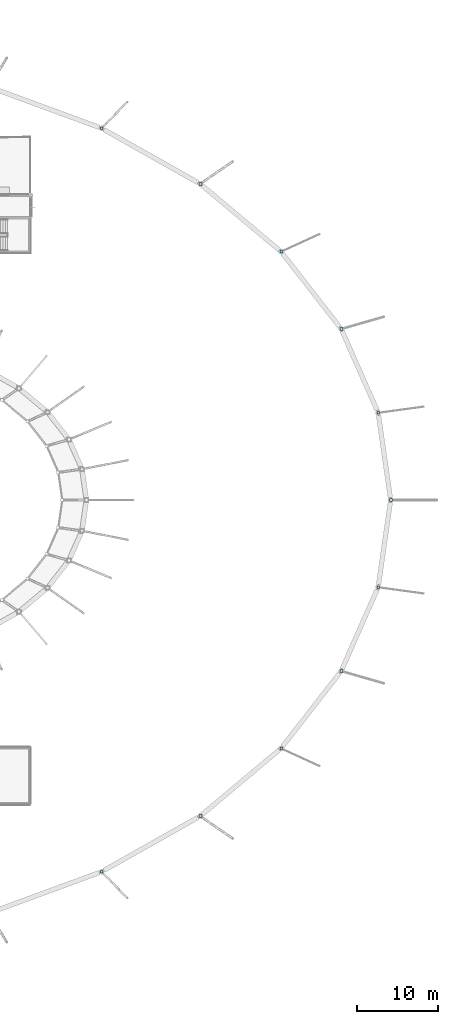
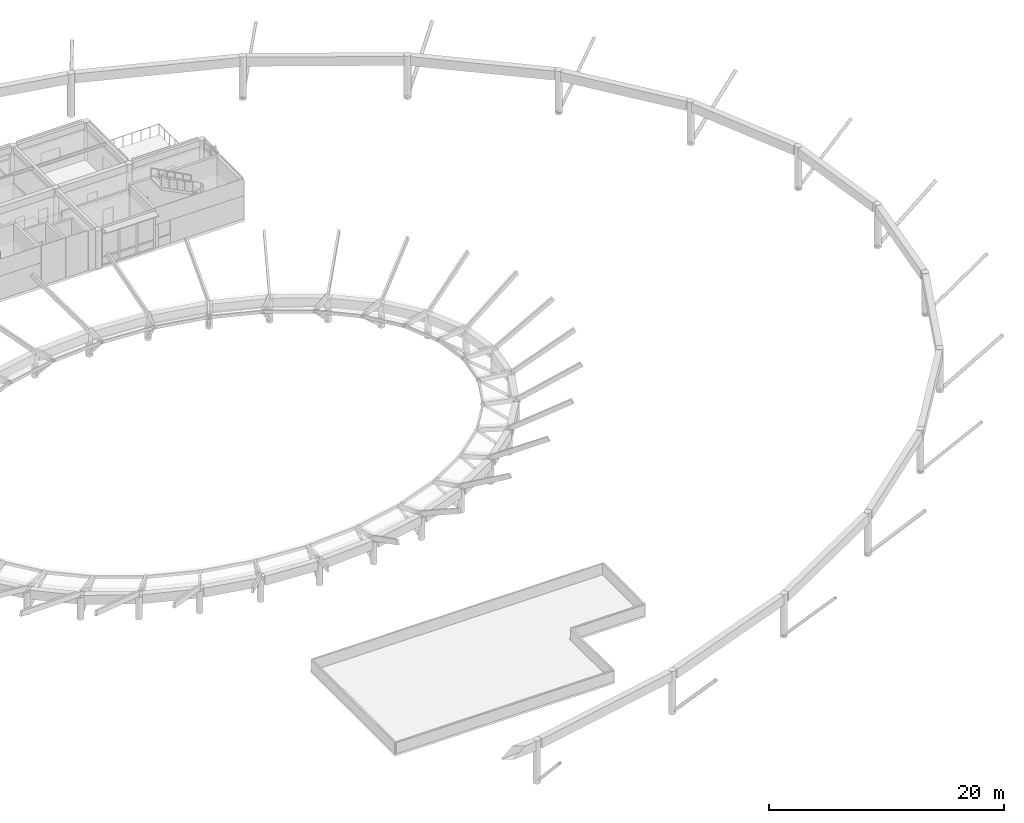
# One storey, part 22 of 37: 11 plates.
"""IFC4 building model written with IfcOpenShell, lengths in metres."""

from ifc_helpers import new_model, si_unit, direction, frame, origin, origin_2d, place, context, subcontext, project, spatial, rectangle, extrude, material, layer, layer_set, type_object, element, save


model = new_model("IFC4")

# Units and contexts
model_context = context("Model", 3, precision=1e-05, world=origin(), true_north=direction((0.0, 1.0)))
body_context = subcontext(model_context, "Body", "Model", "MODEL_VIEW")
ifc_project = project(units=[si_unit("LENGTHUNIT", "METRE"), si_unit("AREAUNIT", "SQUARE_METRE"), si_unit("VOLUMEUNIT", "CUBIC_METRE"), si_unit("PLANEANGLEUNIT", "RADIAN"), si_unit("MASSUNIT", "GRAM", prefix="KILO")], contexts=[model_context])

# Site, building, storey
site_placement = place(None, origin())
site = spatial("IfcSite", under=ifc_project, at=site_placement, CompositionType="ELEMENT")
building_placement = place(site_placement, origin())
building = spatial("IfcBuilding", under=site, at=building_placement, Name="Namkhue Oval Health Centre", CompositionType="ELEMENT")
storey_placement = place(building_placement, frame((0.0, 0.0, 22.199951171875)))
storey = spatial("IfcBuildingStorey", under=building, at=storey_placement, Name="L05", CompositionType="ELEMENT", Elevation=22.199951171875)

# Plates
ifc_material = material(Name="Structural steel EN 10025-2 S355JR (TCVN 5575:2024)", Category="steel")
ifc_layer_1 = layer(ifc_material, 0.02001953125)
ifc_layer_set_1 = layer_set([ifc_layer_1], Name="Structural steel EN 10025-2 S355JR (TCVN 5575:2024)")
plate_type_1 = type_object("IfcPlateType", Name="STEEL END CAP PLATE 340X340X20", PredefinedType="USERDEFINED", material=ifc_layer_set_1)
for number, where, z_axis, x_axis, name in (
    (1, (165.505615234375, 70.218017578125, 0.087890625), (0.0, 0.0, 1.0), (1.0, 0.0, 0.0), "Outer Eaves Strut Lower Collar Plate 2"),
    (2, (153.463134765625, 90.20703125, 0.08837890625), (0.0, 0.0, 1.0), (1.0, 0.0, 0.0), "Outer Eaves Strut Lower Collar Plate 4"),
    (3, (131.210693359375, 105.506591796875, 0.08935546875), (0.0, 0.0, 1.0), (1.0, 0.0, 0.0), "Outer Eaves Strut Lower Collar Plate 6"),
    (4, (131.210693359375, 13.29345703125, 0.08935546875), (0.0, 0.0, 1.0), (1.0, 0.0, 0.0), "Outer Eaves Strut Lower Collar Plate 28"),
    (5, (153.463134765625, 28.593017578125, 0.08837890625), (0.0, 0.0, 1.0), (1.0, 0.0, 0.0), "Outer Eaves Strut Lower Collar Plate 30"),
    (6, (165.505615234375, 48.58203125, 0.087890625), (0.0, 0.0, 1.0), (1.0, 0.0, 0.0), "Outer Eaves Strut Lower Collar Plate 32"),
):
    element("IfcPlate", number, at=place(storey_placement, frame(where, z_axis=z_axis, x_axis=x_axis)), inside=storey, type_object=plate_type_1, Name=name, ObjectType="BASE_PLATE", PredefinedType="USERDEFINED", context=body_context, shape_type="SweptSolid", body=[
        extrude(rectangle(XDim=0.340087890625, YDim=0.340087890625, at=origin_2d()), origin(), (0.0, 0.0, 1.0), 0.02001953125),
    ])
ifc_layer_2 = layer(ifc_material, 0.02197265625)
ifc_layer_set_2 = layer_set([ifc_layer_2], Name="Structural steel EN 10025-2 S355JR (TCVN 5575:2024)")
plate_type_2 = type_object("IfcPlateType", Name="STEEL END CAP PLATE 380X380X22", PredefinedType="USERDEFINED", material=ifc_layer_set_2)
for number, where, z_axis, x_axis, name in (
    (7, (167.055419921875, 59.39990234375, 0.0869140625), (0.0, 0.0, 1.0), (1.0, 0.0, 0.0), "Outer Eaves Strut Lower Collar Plate 1"),
    (8, (160.916259765625, 80.6201171875, 0.087158203125), (0.0, 0.0, 1.0), (1.0, 0.0, 0.0), "Outer Eaves Strut Lower Collar Plate 3"),
    (9, (143.432861328125, 98.610107421875, 0.087890625), (0.0, 0.0, 1.0), (1.0, 0.0, 0.0), "Outer Eaves Strut Lower Collar Plate 5"),
    (10, (143.432861328125, 20.18994140625, 0.087890625), (0.0, 0.0, 1.0), (1.0, 0.0, 0.0), "Outer Eaves Strut Lower Collar Plate 29"),
    (11, (160.916259765625, 38.179931640625, 0.087158203125), (0.0, 0.0, 1.0), (1.0, 0.0, 0.0), "Outer Eaves Strut Lower Collar Plate 31"),
):
    element("IfcPlate", number, at=place(storey_placement, frame(where, z_axis=z_axis, x_axis=x_axis)), inside=storey, type_object=plate_type_2, Name=name, ObjectType="BASE_PLATE", PredefinedType="USERDEFINED", context=body_context, shape_type="SweptSolid", body=[
        extrude(rectangle(XDim=0.3798828125, YDim=0.3798828125, at=origin_2d()), origin(), (0.0, 0.0, 1.0), 0.02197265625),
    ])

save(model, "model.ifc")
